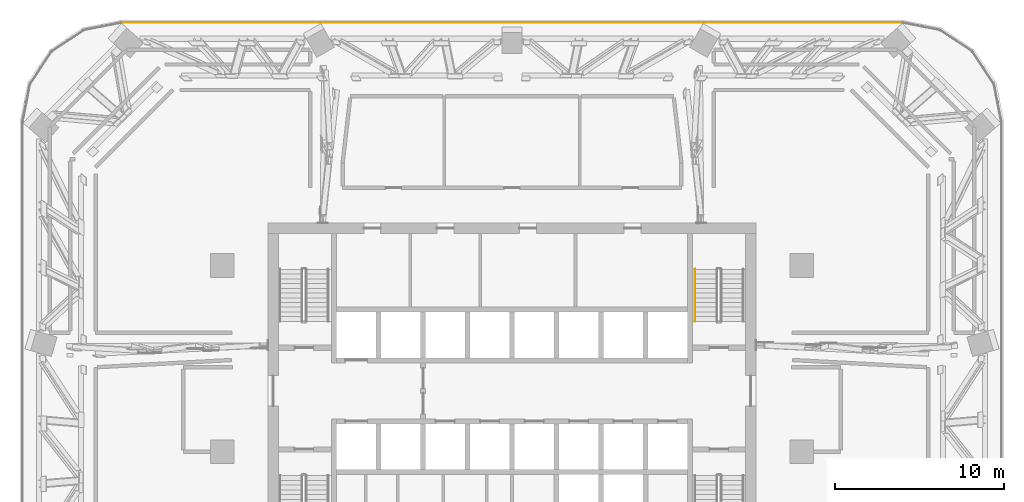
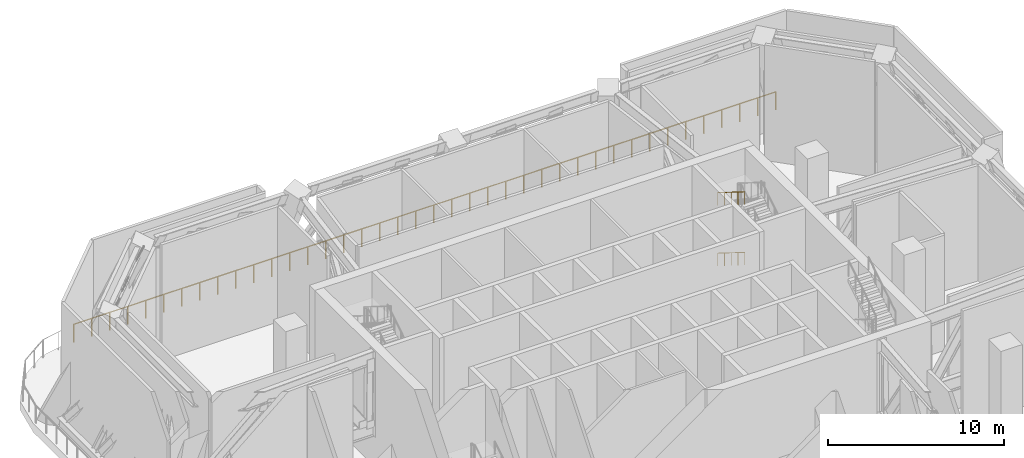
# One storey, part 23 of 24: 3 railings.
"""IFC4 building model written with IfcOpenShell, lengths in metres."""

from ifc_helpers import new_model, si_unit, direction, frame, origin, origin_2d, place, context, subcontext, project, spatial, circle, extrude, material, type_object, element, save


model = new_model("IFC4")

# Units and contexts
model_context = context("Model", 3, precision=1e-05, world=origin(), true_north=direction((0.0, 1.0)))
body_context = subcontext(model_context, "Body", "Model", "MODEL_VIEW")
ifc_project = project(units=[si_unit("LENGTHUNIT", "METRE"), si_unit("AREAUNIT", "SQUARE_METRE"), si_unit("VOLUMEUNIT", "CUBIC_METRE"), si_unit("PLANEANGLEUNIT", "RADIAN"), si_unit("MASSUNIT", "GRAM", prefix="KILO")], contexts=[model_context])

# Site, building, storey
site_placement = place(None, origin())
site = spatial("IfcSite", under=ifc_project, at=site_placement, CompositionType="ELEMENT")
building_placement = place(site_placement, origin())
building = spatial("IfcBuilding", under=site, at=building_placement, Name="Mopane Tessera Tower", CompositionType="ELEMENT")
storey_placement = place(building_placement, frame((0.0, 0.0, 148.60009765625)))
storey = spatial("IfcBuildingStorey", under=building, at=storey_placement, Name="L30", CompositionType="ELEMENT", Elevation=148.60009765625)

# Railings
ifc_material_1 = material(Name="Powder-coated steel balustrade", Category="steel")
railing_type_1 = type_object("IfcRailingType", Name="Escape stair handrail 900 mm", PredefinedType="HANDRAIL", material=ifc_material_1)
for number, where, name in (
    (1, (10.800048828125, 10.780029296875, 2.27490234375), "L30 ST4 stair handrail 2"),
    (2, (10.800048828125, 10.780029296875, 6.474853515625), "L30 ST4 stair handrail 4"),
):
    element("IfcRailing", number, at=place(storey_placement, frame(where)), inside=storey, type_object=railing_type_1, Name=name, PredefinedType="HANDRAIL", context=body_context, shape_type="SweptSolid", body=[
        extrude(circle(Radius=0.02392578125, at=origin_2d()), frame((0.0, 0.0, 0.8759765625), z_axis=(0.0, -0.847998304005, 0.529998940003), x_axis=(1.0, 0.0, 0.0)), (0.0, 0.0, 1.0), 3.632080078125),
        extrude(circle(Radius=0.02099609375, at=origin_2d()), origin(), (0.0, 0.0, 1.0), 0.851806640625),
        extrude(circle(Radius=0.02099609375, at=origin_2d()), frame((0.0, -0.77001953125, 0.481201171875)), (0.0, 0.0, 1.0), 0.851806640625),
        extrude(circle(Radius=0.02099609375, at=origin_2d()), frame((0.0, -1.5400390625, 0.96240234375)), (0.0, 0.0, 1.0), 0.851806640625),
        extrude(circle(Radius=0.02099609375, at=origin_2d()), frame((0.0, -2.31005859375, 1.44384765625)), (0.0, 0.0, 1.0), 0.851806640625),
        extrude(circle(Radius=0.02099609375, at=origin_2d()), frame((0.0, -3.080078125, 1.925048828125)), (0.0, 0.0, 1.0), 0.851806640625),
    ])
ifc_material_2 = material(Name="Stainless steel S316", Category="steel")
railing_type_2 = type_object("IfcRailingType", Name="Wind floor guard 1250", PredefinedType="GUARDRAIL", material=ifc_material_2)
railing_placement = place(storey_placement, frame((23.02001953125, 25.35009765625, 0.0)))
element("IfcRailing", 3, at=railing_placement, inside=storey, type_object=railing_type_2, Name="e:og:L30:10", PredefinedType="GUARDRAIL", context=body_context, shape_type="SweptSolid", body=[
    extrude(circle(Radius=0.02392578125, at=origin_2d()), frame((0.0, 0.0, 1.22607421875), z_axis=(-1.0, 0.0, 0.0), x_axis=(0.0, -1.0, 0.0)), (0.0, 0.0, 1.0), 46.0400390625),
    extrude(circle(Radius=0.02099609375, at=origin_2d()), origin(), (0.0, 0.0, 1.0), 1.201904296875),
    extrude(circle(Radius=0.02099609375, at=origin_2d()), frame((-1.180419921875, 0.0, 0.0)), (0.0, 0.0, 1.0), 1.201904296875),
    extrude(circle(Radius=0.02099609375, at=origin_2d()), frame((-2.361083984375, 0.0, 0.0)), (0.0, 0.0, 1.0), 1.201904296875),
    extrude(circle(Radius=0.02099609375, at=origin_2d()), frame((-3.54150390625, 0.0, 0.0)), (0.0, 0.0, 1.0), 1.201904296875),
    extrude(circle(Radius=0.02099609375, at=origin_2d()), frame((-4.72216796875, 0.0, 0.0)), (0.0, 0.0, 1.0), 1.201904296875),
    extrude(circle(Radius=0.02099609375, at=origin_2d()), frame((-5.902587890625, 0.0, 0.0)), (0.0, 0.0, 1.0), 1.201904296875),
    extrude(circle(Radius=0.02099609375, at=origin_2d()), frame((-7.0830078125, 0.0, 0.0)), (0.0, 0.0, 1.0), 1.201904296875),
    extrude(circle(Radius=0.02099609375, at=origin_2d()), frame((-8.263671875, 0.0, 0.0)), (0.0, 0.0, 1.0), 1.201904296875),
    extrude(circle(Radius=0.02099609375, at=origin_2d()), frame((-9.444091796875, 0.0, 0.0)), (0.0, 0.0, 1.0), 1.201904296875),
    extrude(circle(Radius=0.02099609375, at=origin_2d()), frame((-10.62451171875, 0.0, 0.0)), (0.0, 0.0, 1.0), 1.201904296875),
    extrude(circle(Radius=0.02099609375, at=origin_2d()), frame((-11.80517578125, 0.0, 0.0)), (0.0, 0.0, 1.0), 1.201904296875),
    extrude(circle(Radius=0.02099609375, at=origin_2d()), frame((-12.985595703125, 0.0, 0.0)), (0.0, 0.0, 1.0), 1.201904296875),
    extrude(circle(Radius=0.02099609375, at=origin_2d()), frame((-14.166259765625, 0.0, 0.0)), (0.0, 0.0, 1.0), 1.201904296875),
    extrude(circle(Radius=0.02099609375, at=origin_2d()), frame((-15.3466796875, 0.0, 0.0)), (0.0, 0.0, 1.0), 1.201904296875),
    extrude(circle(Radius=0.02099609375, at=origin_2d()), frame((-16.527099609375, 0.0, 0.0)), (0.0, 0.0, 1.0), 1.201904296875),
    extrude(circle(Radius=0.02099609375, at=origin_2d()), frame((-17.707763671875, 0.0, 0.0)), (0.0, 0.0, 1.0), 1.201904296875),
    extrude(circle(Radius=0.02099609375, at=origin_2d()), frame((-18.88818359375, 0.0, 0.0)), (0.0, 0.0, 1.0), 1.201904296875),
    extrude(circle(Radius=0.02099609375, at=origin_2d()), frame((-20.06884765625, 0.0, 0.0)), (0.0, 0.0, 1.0), 1.201904296875),
    extrude(circle(Radius=0.02099609375, at=origin_2d()), frame((-21.249267578125, 0.0, 0.0)), (0.0, 0.0, 1.0), 1.201904296875),
    extrude(circle(Radius=0.02099609375, at=origin_2d()), frame((-22.4296875, 0.0, 0.0)), (0.0, 0.0, 1.0), 1.201904296875),
    extrude(circle(Radius=0.02099609375, at=origin_2d()), frame((-23.6103515625, 0.0, 0.0)), (0.0, 0.0, 1.0), 1.201904296875),
    extrude(circle(Radius=0.02099609375, at=origin_2d()), frame((-24.790771484375, 0.0, 0.0)), (0.0, 0.0, 1.0), 1.201904296875),
    extrude(circle(Radius=0.02099609375, at=origin_2d()), frame((-25.97119140625, 0.0, 0.0)), (0.0, 0.0, 1.0), 1.201904296875),
    extrude(circle(Radius=0.02099609375, at=origin_2d()), frame((-27.15185546875, 0.0, 0.0)), (0.0, 0.0, 1.0), 1.201904296875),
    extrude(circle(Radius=0.02099609375, at=origin_2d()), frame((-28.332275390625, 0.0, 0.0)), (0.0, 0.0, 1.0), 1.201904296875),
    extrude(circle(Radius=0.02099609375, at=origin_2d()), frame((-29.512939453125, 0.0, 0.0)), (0.0, 0.0, 1.0), 1.201904296875),
    extrude(circle(Radius=0.02099609375, at=origin_2d()), frame((-30.693359375, 0.0, 0.0)), (0.0, 0.0, 1.0), 1.201904296875),
    extrude(circle(Radius=0.02099609375, at=origin_2d()), frame((-31.873779296875, 0.0, 0.0)), (0.0, 0.0, 1.0), 1.201904296875),
    extrude(circle(Radius=0.02099609375, at=origin_2d()), frame((-33.054443359375, 0.0, 0.0)), (0.0, 0.0, 1.0), 1.201904296875),
    extrude(circle(Radius=0.02099609375, at=origin_2d()), frame((-34.23486328125, 0.0, 0.0)), (0.0, 0.0, 1.0), 1.201904296875),
    extrude(circle(Radius=0.02099609375, at=origin_2d()), frame((-35.41552734375, 0.0, 0.0)), (0.0, 0.0, 1.0), 1.201904296875),
    extrude(circle(Radius=0.02099609375, at=origin_2d()), frame((-36.595947265625, 0.0, 0.0)), (0.0, 0.0, 1.0), 1.201904296875),
    extrude(circle(Radius=0.02099609375, at=origin_2d()), frame((-37.7763671875, 0.0, 0.0)), (0.0, 0.0, 1.0), 1.201904296875),
    extrude(circle(Radius=0.02099609375, at=origin_2d()), frame((-38.95703125, 0.0, 0.0)), (0.0, 0.0, 1.0), 1.201904296875),
    extrude(circle(Radius=0.02099609375, at=origin_2d()), frame((-40.137451171875, 0.0, 0.0)), (0.0, 0.0, 1.0), 1.201904296875),
    extrude(circle(Radius=0.02099609375, at=origin_2d()), frame((-41.31787109375, 0.0, 0.0)), (0.0, 0.0, 1.0), 1.201904296875),
    extrude(circle(Radius=0.02099609375, at=origin_2d()), frame((-42.49853515625, 0.0, 0.0)), (0.0, 0.0, 1.0), 1.201904296875),
    extrude(circle(Radius=0.02099609375, at=origin_2d()), frame((-43.678955078125, 0.0, 0.0)), (0.0, 0.0, 1.0), 1.201904296875),
    extrude(circle(Radius=0.02099609375, at=origin_2d()), frame((-44.859619140625, 0.0, 0.0)), (0.0, 0.0, 1.0), 1.201904296875),
    extrude(circle(Radius=0.02099609375, at=origin_2d()), frame((-46.0400390625, 0.0, 0.0)), (0.0, 0.0, 1.0), 1.201904296875),
])

save(model, "model.ifc")
